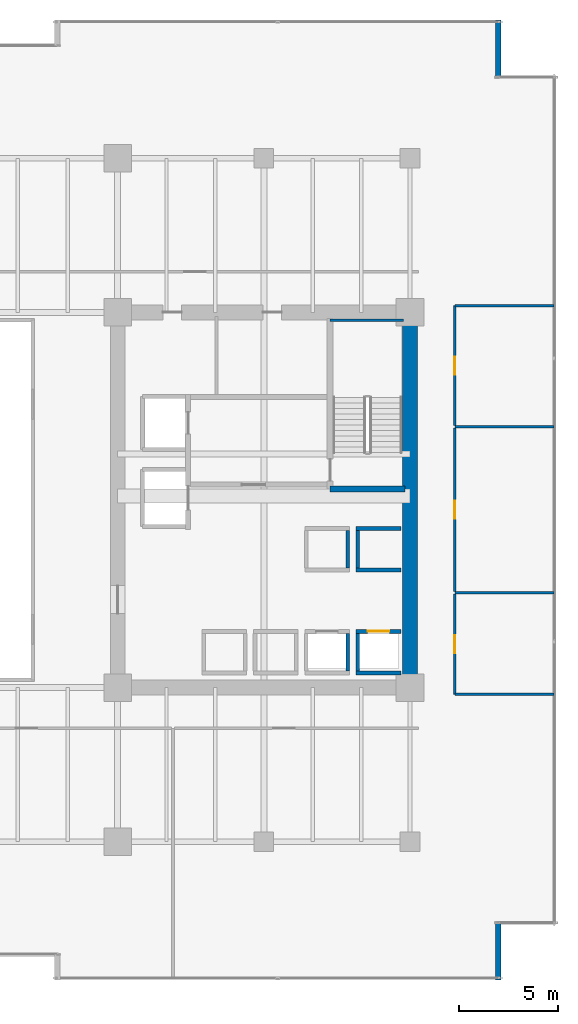
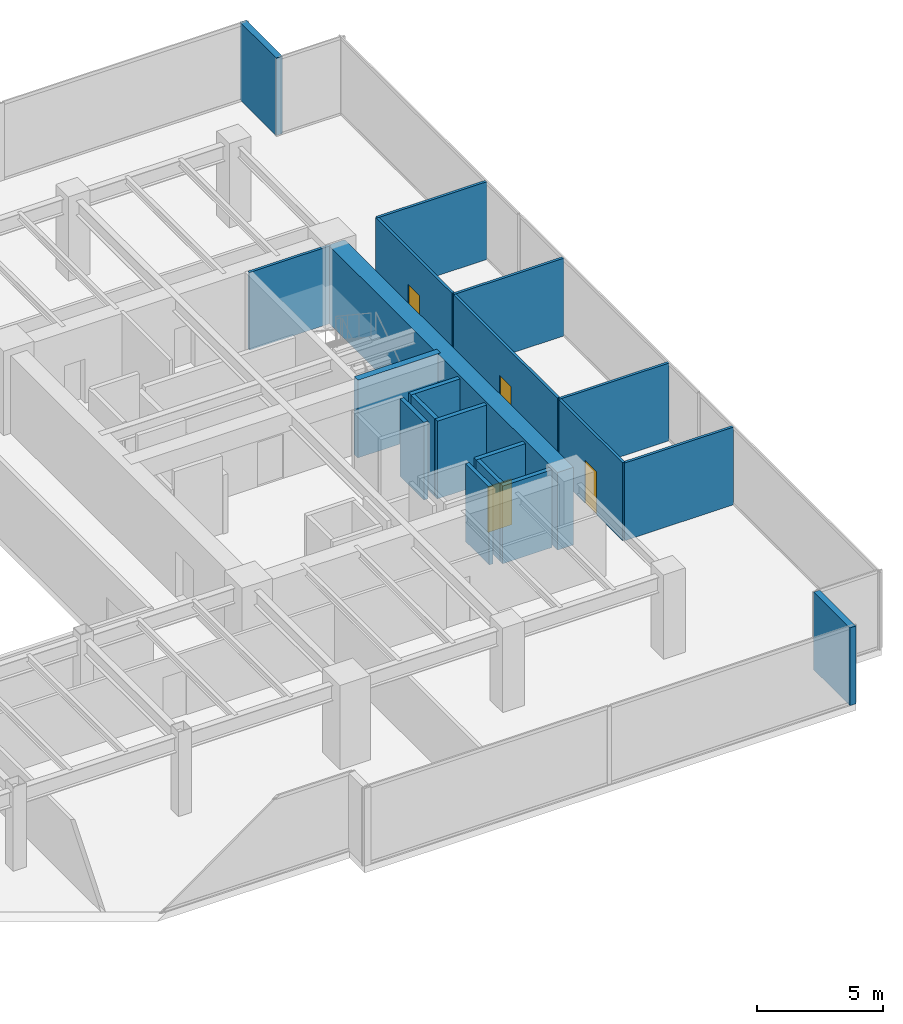
# One storey, part 32 of 35: 20 walls, 4 doors, 4 openings.
"""IFC4 building model written with IfcOpenShell, lengths in metres."""

from ifc_helpers import new_model, si_unit, direction, frame, frame_2d, origin, place, context, subcontext, project, spatial, rectangle, extrude, source, transform, mapped, material, layer, layer_set, type_object, type_shapes, element, fill, save


model = new_model("IFC4")

# Units and contexts
model_context = context("Model", 3, precision=1e-05, world=origin(), true_north=direction((0.0, 1.0)))
body_context = subcontext(model_context, "Body", "Model", "MODEL_VIEW")
ifc_project = project(units=[si_unit("LENGTHUNIT", "METRE"), si_unit("AREAUNIT", "SQUARE_METRE"), si_unit("VOLUMEUNIT", "CUBIC_METRE"), si_unit("PLANEANGLEUNIT", "RADIAN"), si_unit("MASSUNIT", "GRAM", prefix="KILO")], contexts=[model_context])

# Site, building, storey
site_placement = place(None, origin())
site = spatial("IfcSite", under=ifc_project, at=site_placement, CompositionType="ELEMENT")
building_placement = place(site_placement, origin())
building = spatial("IfcBuilding", under=site, at=building_placement, Name="Haelvirn Gate Laboratories", CompositionType="ELEMENT")
storey_placement = place(building_placement, frame((0.0, 0.0, 41.60009765625)))
storey = spatial("IfcBuildingStorey", under=building, at=storey_placement, Name="L10", CompositionType="ELEMENT", Elevation=41.60009765625)

# Walls
ifc_material_1 = material(Name="Thermally-broken bronze aluminium rainscreen & mineral wool", Category="aluminium")
ifc_layer_1 = layer(ifc_material_1, 0.280029296875, Name="EW-TERR-280")
ifc_layer_set_1 = layer_set([ifc_layer_1], Name="Thermally-broken bronze aluminium rainscreen & mineral wool")
wall_type_1 = type_object("IfcWallType", Name="EW-TERR-280", PredefinedType="STANDARD", material=ifc_layer_set_1)
wall_1_placement = place(storey_placement, frame((71.860107421875, 0.0, 0.0), z_axis=(0.0, 0.0, 1.0), x_axis=(0.0, 1.0, 0.0)))
element("IfcWall", 1, at=wall_1_placement, inside=storey, type_object=wall_type_1, Name="L10 Atrium Recess Bronze Return Wall 05", PredefinedType="STANDARD", context=body_context, shape_type="SweptSolid", body=[
    extrude(rectangle(XDim=2.887939453125, YDim=0.280029296875, at=frame_2d((1.44384765625, 0.0))), origin(), (0.0, 0.0, 1.0), 3.77978515625),
])
wall_2_placement = place(storey_placement, frame((71.860107421875, 45.7119140625, 0.0), z_axis=(0.0, 0.0, 1.0), x_axis=(0.0, 1.0, 0.0)))
element("IfcWall", 2, at=wall_2_placement, inside=storey, type_object=wall_type_1, Name="L10 Atrium Recess Bronze Return Wall 09", PredefinedType="STANDARD", context=body_context, shape_type="SweptSolid", body=[
    extrude(rectangle(XDim=2.88818359375, YDim=0.280029296875, at=frame_2d((1.444091796875, 0.0))), origin(), (0.0, 0.0, 1.0), 3.77978515625),
])
ifc_material_2 = material(Name="Lightweight acoustic gypsum board partition", Category="gypsum")
ifc_layer_2 = layer(ifc_material_2, 0.1201171875, Name="IW-PART-120")
ifc_layer_set_2 = layer_set([ifc_layer_2], Name="Lightweight acoustic gypsum board partition")
wall_type_2 = type_object("IfcWallType", Name="IW-PART-120", PredefinedType="PARTITIONING", material=ifc_layer_set_2)
for number, where, z_axis, x_axis, name in (
    (3, (69.669921875, 14.465087890625, 0.0), (0.0, 0.0, 1.0), (1.0, 0.0, 0.0), "L10 Interior Wall IW-L10-ECAP-S"),
    (4, (69.669921875, 34.135009765625, 0.0), (0.0, 0.0, 1.0), (1.0, 0.0, 0.0), "L10 Interior Wall IW-L10-ECAP-N"),
):
    element("IfcWall", number, at=place(storey_placement, frame(where, z_axis=z_axis, x_axis=x_axis)), inside=storey, type_object=wall_type_2, Name=name, PredefinedType="PARTITIONING", context=body_context, shape_type="SweptSolid", body=[
        extrude(rectangle(XDim=5.02001953125, YDim=0.1201171875, at=frame_2d((2.510009765625, 0.0))), origin(), (0.0, 0.0, 1.0), 3.77978515625),
    ])

# Wall, opening, door
wall_3_placement = place(storey_placement, frame((69.669921875, 14.465087890625, 0.0), z_axis=(0.0, 0.0, 1.0), x_axis=(0.0, 1.0, 0.0)))
wall_3 = element("IfcWall", 5, at=wall_3_placement, inside=storey, type_object=wall_type_2, Name="L10 Interior Wall IW-L10-EPASS-01", PredefinedType="PARTITIONING", context=body_context, shape_type="SweptSolid", body=[
    extrude(rectangle(XDim=5.074951171875, YDim=0.1201171875, at=frame_2d((2.53759765625, 0.0))), origin(), (0.0, 0.0, 1.0), 3.77978515625),
])
opening_1_placement = place(wall_3_placement, frame((2.08740234375, 0.0, 0.0)))
opening_1 = element("IfcOpeningElement", 6, at=opening_1_placement, cuts=wall_3, Name="Opening D4", PredefinedType="OPENING", context=body_context, shape_type="SweptSolid", body=[
    extrude(rectangle(XDim=0.89990234375, YDim=2.10009765625, at=frame_2d((0.449951171875, 1.050048828125))), frame((0.0, 0.070068359375, 0.0), z_axis=(0.0, -1.0, 0.0), x_axis=(1.0, 0.0, 0.0)), (0.0, 0.0, 1.0), 0.14013671875),
])
ifc_material_3 = material(Name="Glazed aluminium-framed write-up door", Category="aluminium")
door_type_1 = type_object("IfcDoorType", Name="DR-OFF-900", OperationType="NOTDEFINED", PredefinedType="DOOR", material=ifc_material_3)
shared_shape_1 = source(origin(), body_context, "Body", "SweptSolid", [
    extrude(rectangle(XDim=0.89990234375, YDim=2.10009765625, at=frame_2d((0.449951171875, 1.050048828125))), frame((0.0, 0.02490234375, 0.0), z_axis=(0.0, -1.0, 0.0), x_axis=(1.0, 0.0, 0.0)), (0.0, 0.0, 1.0), 0.050048828125),
])
type_shapes(door_type_1, [shared_shape_1])
door_1_placement = place(opening_1_placement, origin())
door_1 = element("IfcDoor", 7, at=door_1_placement, inside=storey, type_object=door_type_1, Name="L10 Genomics Assay Laboratory Door E1", OperationType="SINGLE_SWING_LEFT", OverallHeight=2.10009765625, OverallWidth=0.89990234375, PredefinedType="DOOR", context=body_context, shape_type="MappedRepresentation", body=[
    mapped(shared_shape_1, transform((0.0, 0.0, 0.0), scale=1.0)),
])
fill(opening_1, door_1)

# Wall
wall_4_placement = place(storey_placement, frame((69.669921875, 19.60009765625, 0.0), z_axis=(0.0, 0.0, 1.0), x_axis=(1.0, 0.0, 0.0)))
element("IfcWall", 8, at=wall_4_placement, inside=storey, type_object=wall_type_2, Name="L10 Interior Wall IW-L10-EDIV-01", PredefinedType="PARTITIONING", context=body_context, shape_type="SweptSolid", body=[
    extrude(rectangle(XDim=5.02001953125, YDim=0.1201171875, at=frame_2d((2.510009765625, 0.0))), origin(), (0.0, 0.0, 1.0), 3.77978515625),
])

# Wall, opening, door
wall_5_placement = place(storey_placement, frame((69.669921875, 19.659912109375, 0.0), z_axis=(0.0, 0.0, 1.0), x_axis=(0.0, 1.0, 0.0)))
wall_5 = element("IfcWall", 9, at=wall_5_placement, inside=storey, type_object=wall_type_2, Name="L10 Interior Wall IW-L10-EPASS-02", PredefinedType="PARTITIONING", context=body_context, shape_type="SweptSolid", body=[
    extrude(rectangle(XDim=8.280029296875, YDim=0.1201171875, at=frame_2d((4.14013671875, 0.0))), origin(), (0.0, 0.0, 1.0), 3.77978515625),
])
opening_2_placement = place(wall_5_placement, frame((3.68994140625, 0.0, 0.0)))
opening_2 = element("IfcOpeningElement", 10, at=opening_2_placement, cuts=wall_5, Name="Opening D4", PredefinedType="OPENING", context=body_context, shape_type="SweptSolid", body=[
    extrude(rectangle(XDim=0.89990234375, YDim=2.10009765625, at=frame_2d((0.449951171875, 1.050048828125))), frame((0.0, 0.070068359375, 0.0), z_axis=(0.0, -1.0, 0.0), x_axis=(1.0, 0.0, 0.0)), (0.0, 0.0, 1.0), 0.14013671875),
])
door_2_placement = place(opening_2_placement, origin())
door_2 = element("IfcDoor", 11, at=door_2_placement, inside=storey, type_object=door_type_1, Name="L10 Proteomics Mass-Spec Laboratory Door E2", OperationType="SINGLE_SWING_RIGHT", OverallHeight=2.10009765625, OverallWidth=0.89990234375, PredefinedType="DOOR", context=body_context, shape_type="MappedRepresentation", body=[
    mapped(shared_shape_1, transform((0.0, 0.0, 0.0), scale=1.0)),
])
fill(opening_2, door_2)

# Wall
wall_6_placement = place(storey_placement, frame((69.669921875, 28.0, 0.0), z_axis=(0.0, 0.0, 1.0), x_axis=(1.0, 0.0, 0.0)))
element("IfcWall", 12, at=wall_6_placement, inside=storey, type_object=wall_type_2, Name="L10 Interior Wall IW-L10-EDIV-02", PredefinedType="PARTITIONING", context=body_context, shape_type="SweptSolid", body=[
    extrude(rectangle(XDim=5.02001953125, YDim=0.1201171875, at=frame_2d((2.510009765625, 0.0))), origin(), (0.0, 0.0, 1.0), 3.77978515625),
])

# Wall, opening, door
wall_7_placement = place(storey_placement, frame((69.669921875, 28.06005859375, 0.0), z_axis=(0.0, 0.0, 1.0), x_axis=(0.0, 1.0, 0.0)))
wall_7 = element("IfcWall", 13, at=wall_7_placement, inside=storey, type_object=wall_type_2, Name="L10 Interior Wall IW-L10-EPASS-03", PredefinedType="PARTITIONING", context=body_context, shape_type="SweptSolid", body=[
    extrude(rectangle(XDim=6.074951171875, YDim=0.1201171875, at=frame_2d((3.03759765625, 0.0))), origin(), (0.0, 0.0, 1.0), 3.77978515625),
])
opening_3_placement = place(wall_7_placement, frame((2.58740234375, 0.0, 0.0)))
opening_3 = element("IfcOpeningElement", 14, at=opening_3_placement, cuts=wall_7, Name="Opening D4", PredefinedType="OPENING", context=body_context, shape_type="SweptSolid", body=[
    extrude(rectangle(XDim=0.89990234375, YDim=2.10009765625, at=frame_2d((0.449951171875, 1.050048828125))), frame((0.0, 0.070068359375, 0.0), z_axis=(0.0, -1.0, 0.0), x_axis=(1.0, 0.0, 0.0)), (0.0, 0.0, 1.0), 0.14013671875),
])
door_3_placement = place(opening_3_placement, origin())
door_3 = element("IfcDoor", 15, at=door_3_placement, inside=storey, type_object=door_type_1, Name="L10 Chemical Synthesis Laboratory Door E3", OperationType="SINGLE_SWING_LEFT", OverallHeight=2.10009765625, OverallWidth=0.89990234375, PredefinedType="DOOR", context=body_context, shape_type="MappedRepresentation", body=[
    mapped(shared_shape_1, transform((0.0, 0.0, 0.0), scale=1.0)),
])
fill(opening_3, door_3)

# Walls
ifc_material_4 = material(Name="Concrete C40/50", Category="concrete")
ifc_layer_3 = layer(ifc_material_4, 0.179931640625, Name="IW-SHAFT-180")
ifc_layer_set_3 = layer_set([ifc_layer_3], Name="Concrete C40/50")
wall_type_3 = type_object("IfcWallType", Name="IW-SHAFT-180", PredefinedType="SOLIDWALL", material=ifc_layer_set_3)
for number, where, z_axis, x_axis, name in (
    (16, (64.75, 15.64990234375, 0.0), (0.0, 0.0, 1.0), (0.0, 1.0, 0.0), "L10 Interior Wall IW-L10-PL3-SD"),
    (17, (64.25, 15.64990234375, 0.0), (0.0, 0.0, 1.0), (0.0, 1.0, 0.0), "L10 Interior Wall IW-L10-PL4-SDE"),
):
    element("IfcWall", number, at=place(storey_placement, frame(where, z_axis=z_axis, x_axis=x_axis)), inside=storey, type_object=wall_type_3, Name=name, PredefinedType="SOLIDWALL", context=body_context, shape_type="SweptSolid", body=[
        extrude(rectangle(XDim=1.900146484375, YDim=0.179931640625, at=frame_2d((0.9501953125, 0.0))), origin(), (0.0, 0.0, 1.0), 3.77978515625),
    ])
for number, where, z_axis, x_axis, name in (
    (18, (64.75, 20.85009765625, 0.0), (0.0, 0.0, 1.0), (0.0, 1.0, 0.0), "L10 Interior Wall IW-L10-PL11-SD"),
    (19, (64.25, 20.85009765625, 0.0), (0.0, 0.0, 1.0), (0.0, 1.0, 0.0), "L10 Interior Wall IW-L10-PL12-SDE"),
):
    element("IfcWall", number, at=place(storey_placement, frame(where, z_axis=z_axis, x_axis=x_axis)), inside=storey, type_object=wall_type_3, Name=name, PredefinedType="SOLIDWALL", context=body_context, shape_type="SweptSolid", body=[
        extrude(rectangle(XDim=1.89990234375, YDim=0.179931640625, at=frame_2d((0.949951171875, 0.0))), origin(), (0.0, 0.0, 1.0), 3.77978515625),
    ])

# Wall, opening, door
ifc_layer_4 = layer(ifc_material_4, 0.199951171875, Name="IW-SHAFT-200")
ifc_layer_set_4 = layer_set([ifc_layer_4], Name="Concrete C40/50")
wall_type_4 = type_object("IfcWallType", Name="IW-SHAFT-200", PredefinedType="SOLIDWALL", material=ifc_layer_set_4)
wall_8_placement = place(storey_placement, frame((64.669921875, 17.64990234375, 0.0), z_axis=(0.0, 0.0, 1.0), x_axis=(1.0, 0.0, 0.0)))
wall_8 = element("IfcWall", 20, at=wall_8_placement, inside=storey, type_object=wall_type_4, Name="L10 Interior Wall IW-L10-PL3-FR", PredefinedType="SOLIDWALL", context=body_context, shape_type="SweptSolid", body=[
    extrude(rectangle(XDim=2.260009765625, YDim=0.199951171875, at=frame_2d((1.1298828125, 0.0))), origin(), (0.0, 0.0, 1.0), 3.77978515625),
])
opening_4_placement = place(wall_8_placement, frame((0.580078125, 0.0, 0.0)))
opening_4 = element("IfcOpeningElement", 21, at=opening_4_placement, cuts=wall_8, Name="Opening LD2", PredefinedType="OPENING", context=body_context, shape_type="SweptSolid", body=[
    extrude(rectangle(XDim=1.10009765625, YDim=2.219970703125, at=frame_2d((0.550048828125, 1.10986328125))), frame((0.0, 0.10986328125, 0.0), z_axis=(0.0, -1.0, 0.0), x_axis=(1.0, 0.0, 0.0)), (0.0, 0.0, 1.0), 0.219970703125),
])
ifc_material_5 = material(Name="Bronze stainless 316L sliding lift landing door")
door_type_2 = type_object("IfcDoorType", Name="DR-LD-1100", OperationType="NOTDEFINED", PredefinedType="USERDEFINED", material=ifc_material_5)
shared_shape_2 = source(origin(), body_context, "Body", "SweptSolid", [
    extrude(rectangle(XDim=1.10009765625, YDim=2.219970703125, at=frame_2d((0.550048828125, 1.10986328125))), frame((0.0, 0.02490234375, 0.0), z_axis=(0.0, -1.0, 0.0), x_axis=(1.0, 0.0, 0.0)), (0.0, 0.0, 1.0), 0.050048828125),
])
type_shapes(door_type_2, [shared_shape_2])
door_4_placement = place(opening_4_placement, origin())
door_4 = element("IfcDoor", 22, at=door_4_placement, inside=storey, type_object=door_type_2, Name="L10 Passenger Lift PL3 Landing Door", ObjectType="LANDING_DOOR", OperationType="SLIDING_TO_LEFT", OverallHeight=2.219970703125, OverallWidth=1.10009765625, PredefinedType="USERDEFINED", context=body_context, shape_type="MappedRepresentation", body=[
    mapped(shared_shape_2, transform((0.0, 0.0, 0.0), scale=1.0)),
])
fill(opening_4, door_4)

# Walls
for number, where, z_axis, x_axis, name in (
    (23, (64.669921875, 15.550048828125, 0.0), (0.0, 0.0, 1.0), (1.0, 0.0, 0.0), "L10 Interior Wall IW-L10-PL3-BK"),
    (24, (64.669921875, 20.75, 0.0), (0.0, 0.0, 1.0), (1.0, 0.0, 0.0), "L10 Interior Wall IW-L10-PL11-FR"),
    (25, (64.669921875, 22.85009765625, 0.0), (0.0, 0.0, 1.0), (1.0, 0.0, 0.0), "L10 Interior Wall IW-L10-PL11-BK"),
):
    element("IfcWall", number, at=place(storey_placement, frame(where, z_axis=z_axis, x_axis=x_axis)), inside=storey, type_object=wall_type_4, Name=name, PredefinedType="SOLIDWALL", context=body_context, shape_type="SweptSolid", body=[
        extrude(rectangle(XDim=2.260009765625, YDim=0.199951171875, at=frame_2d((1.1298828125, 0.0))), origin(), (0.0, 0.0, 1.0), 3.77978515625),
    ])
ifc_material_6 = material(Name="Concrete C70/85", Category="concrete")
ifc_layer_5 = layer(ifc_material_6, 0.75, Name="SW-CORE-750")
ifc_layer_set_5 = layer_set([ifc_layer_5], Name="Concrete C70/85")
wall_type_5 = type_object("IfcWallType", Name="SW-CORE-750", PredefinedType="SHEAR", material=ifc_layer_set_5)
wall_9_placement = place(storey_placement, frame((67.39990234375, 15.175048828125, 0.0), z_axis=(0.0, 0.0, 1.0), x_axis=(0.0, 1.0, 0.0)))
element("IfcWall", 26, at=wall_9_placement, inside=storey, type_object=wall_type_5, Name="L10 E Core Shear Wall E", PredefinedType="SHEAR", context=body_context, shape_type="SweptSolid", body=[
    extrude(rectangle(XDim=18.25, YDim=0.75, at=frame_2d((9.125, 0.0))), origin(), (0.0, 0.0, 1.0), 3.77978515625),
])
ifc_material_7 = material(Name="Concrete C50/60", Category="concrete")
ifc_layer_6 = layer(ifc_material_7, 0.1201171875, Name="SW-LINER-120")
ifc_layer_set_6 = layer_set([ifc_layer_6], Name="Concrete C50/60")
wall_type_6 = type_object("IfcWallType", Name="SW-LINER-120", PredefinedType="SOLIDWALL", material=ifc_layer_set_6)
wall_10_placement = place(storey_placement, frame((63.35009765625, 33.39990234375, 0.0), z_axis=(0.0, 0.0, 1.0), x_axis=(1.0, 0.0, 0.0)))
element("IfcWall", 27, at=wall_10_placement, inside=storey, type_object=wall_type_6, Name="L10 E Core Stair Shaft Liner Wall N", PredefinedType="SOLIDWALL", context=body_context, shape_type="SweptSolid", body=[
    extrude(rectangle(XDim=3.719970703125, YDim=0.1201171875, at=frame_2d((1.85986328125, 0.0))), origin(), (0.0, 0.0, 1.0), 3.77978515625),
])
ifc_layer_7 = layer(ifc_material_7, 0.300048828125, Name="SW-STAIR-300")
ifc_layer_set_7 = layer_set([ifc_layer_7], Name="Concrete C50/60")
wall_type_7 = type_object("IfcWallType", Name="SW-STAIR-300", PredefinedType="SHEAR", material=ifc_layer_set_7)
wall_11_placement = place(storey_placement, frame((63.35009765625, 24.85009765625, 0.0), z_axis=(0.0, 0.0, 1.0), x_axis=(1.0, 0.0, 0.0)))
element("IfcWall", 28, at=wall_11_placement, inside=storey, type_object=wall_type_7, Name="L10 E Core Stair Shaft Structural Wall S", PredefinedType="SHEAR", context=body_context, shape_type="SweptSolid", body=[
    extrude(rectangle(XDim=3.7998046875, YDim=0.300048828125, at=frame_2d((1.89990234375, 0.0))), origin(), (0.0, 0.0, 1.0), 3.77978515625),
])

save(model, "model.ifc")
